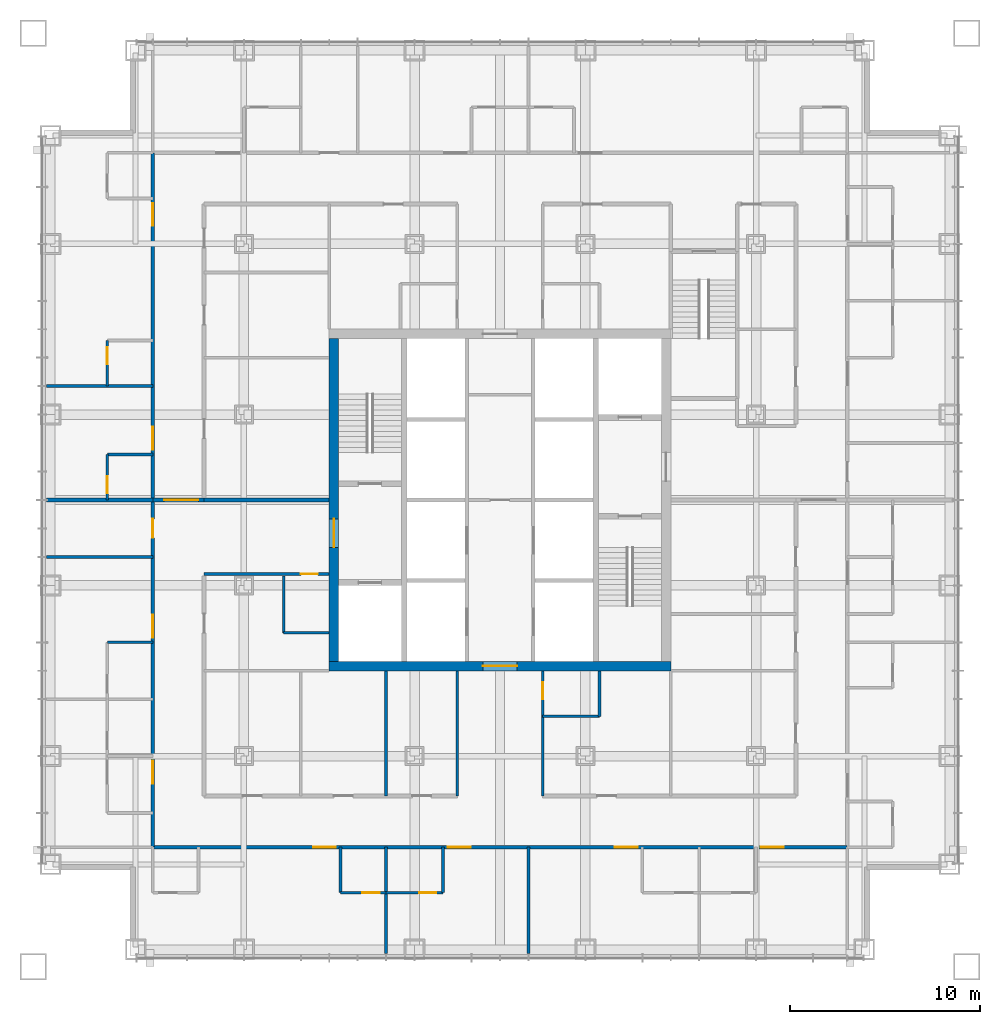
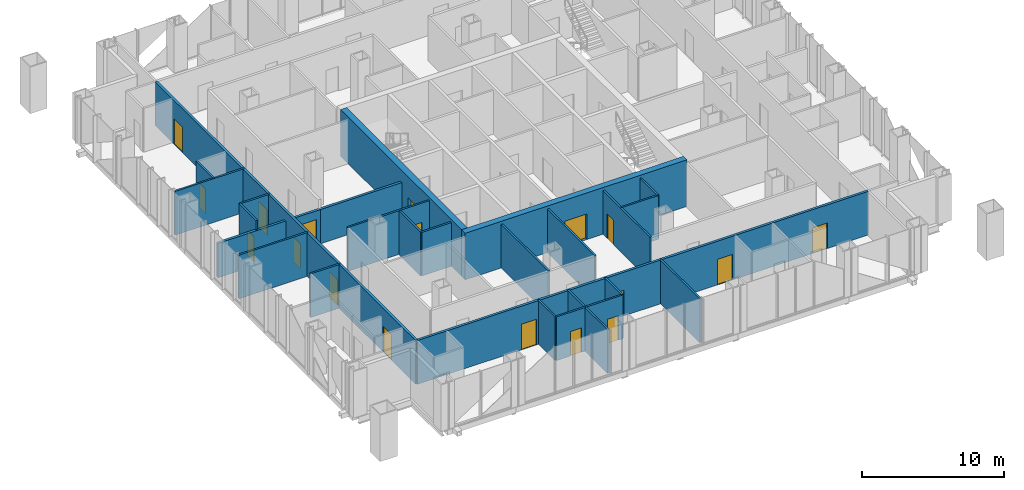
# One storey, part 9 of 16: 27 walls, 18 doors, 18 openings.
"""IFC4 building model written with IfcOpenShell, lengths in metres."""

from ifc_helpers import new_model, si_unit, direction, frame, frame_2d, origin, place, context, subcontext, project, spatial, rectangle, extrude, material, layer, layer_set, type_object, element, fill, save


model = new_model("IFC4")

# Units and contexts
model_context = context("Model", 3, precision=1e-05, world=origin(), true_north=direction((0.0, 1.0)))
body_context = subcontext(model_context, "Body", "Model", "MODEL_VIEW")
ifc_project = project(units=[si_unit("LENGTHUNIT", "METRE"), si_unit("AREAUNIT", "SQUARE_METRE"), si_unit("VOLUMEUNIT", "CUBIC_METRE"), si_unit("PLANEANGLEUNIT", "RADIAN"), si_unit("MASSUNIT", "GRAM", prefix="KILO")], contexts=[model_context])

# Site, building, storey
site_placement = place(None, origin())
site = spatial("IfcSite", under=ifc_project, at=site_placement, CompositionType="ELEMENT")
building_placement = place(site_placement, origin())
building = spatial("IfcBuilding", under=site, at=building_placement, Name="Malebo Sky Hospital", CompositionType="ELEMENT")
storey_placement = place(building_placement, frame((0.0, 0.0, 144.0)))
storey = spatial("IfcBuildingStorey", under=building, at=storey_placement, Name="L34", CompositionType="ELEMENT", Elevation=144.0)

# Wall, opening, door
ifc_material_1 = material(Name="Concrete C80/95", Category="concrete")
ifc_layer_1 = layer(ifc_material_1, 0.5)
ifc_layer_set_1 = layer_set([ifc_layer_1], Name="CORE WALL 500")
wall_type_1 = type_object("IfcWallType", Name="CORE WALL 500", PredefinedType="SHEAR", material=ifc_layer_set_1)
wall_1_placement = place(storey_placement, frame((51.0, 53.25, 0.0), z_axis=(0.0, 0.0, 1.0), x_axis=(1.0, 0.0, 0.0)))
wall_1 = element("IfcWall", 1, at=wall_1_placement, inside=storey, type_object=wall_type_1, Name="Core wall S L34", PredefinedType="SHEAR", context=body_context, shape_type="SweptSolid", body=[
    extrude(rectangle(XDim=18.0, YDim=0.5, at=frame_2d((9.0, 0.0))), origin(), (0.0, 0.0, 1.0), 4.0),
])
opening_1_placement = place(wall_1_placement, frame((8.10009765625, 0.0, 0.0)))
opening_1 = element("IfcOpeningElement", 2, at=opening_1_placement, cuts=wall_1, Name="Opening D06", PredefinedType="OPENING", context=body_context, shape_type="SweptSolid", body=[
    extrude(rectangle(XDim=1.800048828125, YDim=2.199951171875, at=frame_2d((0.89990234375, 1.10009765625))), frame((0.0, 0.260009765625, 0.0), z_axis=(0.0, -1.0, 0.0), x_axis=(1.0, 0.0, 0.0)), (0.0, 0.0, 1.0), 0.52001953125),
])
ifc_material_2 = material(Name="Hardwood-faced door leaf in steel frame", Category="steel")
door_type_1 = type_object("IfcDoorType", Name="LOBBY DOOR PAIR 1800", OperationType="DOUBLE_DOOR_SINGLE_SWING", PredefinedType="DOOR", material=ifc_material_2)
door_1_placement = place(opening_1_placement, origin())
door_1 = element("IfcDoor", 3, at=door_1_placement, inside=storey, type_object=door_type_1, Name="Lift lobby door south", OperationType="DOUBLE_DOOR_SINGLE_SWING", OverallHeight=2.199951171875, OverallWidth=1.800048828125, PredefinedType="DOOR", context=body_context, shape_type="SweptSolid", body=[
    extrude(rectangle(XDim=1.800048828125, YDim=2.199951171875, at=frame_2d((0.89990234375, 1.10009765625))), frame((0.0, 0.02490234375, 0.0), z_axis=(0.0, -1.0, 0.0), x_axis=(1.0, 0.0, 0.0)), (0.0, 0.0, 1.0), 0.050048828125),
])
fill(opening_1, door_1)

wall_2_placement = place(storey_placement, frame((51.25, 53.5, 0.0), z_axis=(0.0, 0.0, 1.0), x_axis=(0.0, 1.0, 0.0)))
wall_2 = element("IfcWall", 4, at=wall_2_placement, inside=storey, type_object=wall_type_1, Name="Core wall W L34", PredefinedType="SHEAR", context=body_context, shape_type="SweptSolid", body=[
    extrude(rectangle(XDim=17.0, YDim=0.5, at=frame_2d((8.5, 0.0))), origin(), (0.0, 0.0, 1.0), 4.0),
])
opening_2_placement = place(wall_2_placement, frame((6.0, 0.0, 0.0)))
opening_2 = element("IfcOpeningElement", 5, at=opening_2_placement, cuts=wall_2, Name="Opening D07", PredefinedType="OPENING", context=body_context, shape_type="SweptSolid", body=[
    extrude(rectangle(XDim=1.5, YDim=2.199951171875, at=frame_2d((0.75, 1.10009765625))), frame((0.0, 0.260009765625, 0.0), z_axis=(0.0, -1.0, 0.0), x_axis=(1.0, 0.0, 0.0)), (0.0, 0.0, 1.0), 0.52001953125),
])
door_type_2 = type_object("IfcDoorType", Name="FIRE-FIGHTING LOBBY DOOR PAIR 1500", OperationType="DOUBLE_DOOR_SINGLE_SWING", PredefinedType="DOOR", material=ifc_material_2)
door_2_placement = place(opening_2_placement, origin())
door_2 = element("IfcDoor", 6, at=door_2_placement, inside=storey, type_object=door_type_2, Name="Fire-fighting lobby door west", OperationType="DOUBLE_DOOR_SINGLE_SWING", OverallHeight=2.199951171875, OverallWidth=1.5, PredefinedType="DOOR", context=body_context, shape_type="SweptSolid", body=[
    extrude(rectangle(XDim=1.5, YDim=2.199951171875, at=frame_2d((0.75, 1.10009765625))), frame((0.0, 0.02490234375, 0.0), z_axis=(0.0, -1.0, 0.0), x_axis=(1.0, 0.0, 0.0)), (0.0, 0.0, 1.0), 0.050048828125),
])
fill(opening_2, door_2)

# Wall, openings, doors
ifc_material_3 = material(Name="Gypsum board on steel studs", Category="steel")
ifc_layer_2 = layer(ifc_material_3, 0.199951171875)
ifc_layer_set_2 = layer_set([ifc_layer_2], Name="CORRIDOR WALL 200")
wall_type_2 = type_object("IfcWallType", Name="CORRIDOR WALL 200", PredefinedType="PARTITIONING", material=ifc_layer_set_2)
wall_3_placement = place(storey_placement, frame((41.699951171875, 43.699951171875, 0.0), z_axis=(0.0, 0.0, 1.0), x_axis=(0.0, 1.0, 0.0)))
wall_3 = element("IfcWall", 7, at=wall_3_placement, inside=storey, type_object=wall_type_2, Name="Corridor Wall 200 WCO", PredefinedType="PARTITIONING", context=body_context, shape_type="SweptSolid", body=[
    extrude(rectangle(XDim=36.60009765625, YDim=0.199951171875, at=frame_2d((18.300048828125, 0.0))), origin(), (0.0, 0.0, 1.0), 3.75),
])
opening_3_placement = place(wall_3_placement, frame((3.35009765625, 0.0, 0.0)))
opening_3 = element("IfcOpeningElement", 8, at=opening_3_placement, cuts=wall_3, Name="Opening D18", PredefinedType="OPENING", context=body_context, shape_type="SweptSolid", body=[
    extrude(rectangle(XDim=1.199951171875, YDim=2.199951171875, at=frame_2d((0.60009765625, 1.10009765625))), frame((0.0, 0.10986328125, 0.0), z_axis=(0.0, -1.0, 0.0), x_axis=(1.0, 0.0, 0.0)), (0.0, 0.0, 1.0), 0.219970703125),
])
opening_4_placement = place(wall_3_placement, frame((11.050048828125, 0.0, 0.0)))
opening_4 = element("IfcOpeningElement", 9, at=opening_4_placement, cuts=wall_3, Name="Opening D01", PredefinedType="OPENING", context=body_context, shape_type="SweptSolid", body=[
    extrude(rectangle(XDim=1.199951171875, YDim=2.199951171875, at=frame_2d((0.60009765625, 1.10009765625))), frame((0.0, 0.10986328125, 0.0), z_axis=(0.0, -1.0, 0.0), x_axis=(1.0, 0.0, 0.0)), (0.0, 0.0, 1.0), 0.219970703125),
])
opening_5_placement = place(wall_3_placement, frame((16.300048828125, 0.0, 0.0)))
opening_5 = element("IfcOpeningElement", 10, at=opening_5_placement, cuts=wall_3, Name="Opening D03", PredefinedType="OPENING", context=body_context, shape_type="SweptSolid", body=[
    extrude(rectangle(XDim=1.0, YDim=2.10009765625, at=frame_2d((0.5, 1.050048828125))), frame((0.0, 0.10986328125, 0.0), z_axis=(0.0, -1.0, 0.0), x_axis=(1.0, 0.0, 0.0)), (0.0, 0.0, 1.0), 0.219970703125),
])
opening_6_placement = place(wall_3_placement, frame((20.949951171875, 0.0, 0.0)))
opening_6 = element("IfcOpeningElement", 11, at=opening_6_placement, cuts=wall_3, Name="Opening D01", PredefinedType="OPENING", context=body_context, shape_type="SweptSolid", body=[
    extrude(rectangle(XDim=1.199951171875, YDim=2.199951171875, at=frame_2d((0.60009765625, 1.10009765625))), frame((0.0, 0.10986328125, 0.0), z_axis=(0.0, -1.0, 0.0), x_axis=(1.0, 0.0, 0.0)), (0.0, 0.0, 1.0), 0.219970703125),
])
opening_7_placement = place(wall_3_placement, frame((32.75, 0.0, 0.0)))
opening_7 = element("IfcOpeningElement", 12, at=opening_7_placement, cuts=wall_3, Name="Opening D01", PredefinedType="OPENING", context=body_context, shape_type="SweptSolid", body=[
    extrude(rectangle(XDim=1.199951171875, YDim=2.199951171875, at=frame_2d((0.60009765625, 1.10009765625))), frame((0.0, 0.10986328125, 0.0), z_axis=(0.0, -1.0, 0.0), x_axis=(1.0, 0.0, 0.0)), (0.0, 0.0, 1.0), 0.219970703125),
])
door_type_3 = type_object("IfcDoorType", Name="ANTEROOM DOOR 1200", OperationType="SINGLE_SWING_LEFT", PredefinedType="DOOR", material=ifc_material_2)
door_3_placement = place(opening_3_placement, origin())
door_3 = element("IfcDoor", 13, at=door_3_placement, inside=storey, type_object=door_type_3, Name="Anteroom door", OperationType="SINGLE_SWING_RIGHT", OverallHeight=2.199951171875, OverallWidth=1.199951171875, PredefinedType="DOOR", context=body_context, shape_type="SweptSolid", body=[
    extrude(rectangle(XDim=1.199951171875, YDim=2.199951171875, at=frame_2d((0.60009765625, 1.10009765625))), frame((0.0, 0.02490234375, 0.0), z_axis=(0.0, -1.0, 0.0), x_axis=(1.0, 0.0, 0.0)), (0.0, 0.0, 1.0), 0.050048828125),
])
fill(opening_3, door_3)
door_type_4 = type_object("IfcDoorType", Name="BED DOOR 1200", OperationType="SINGLE_SWING_LEFT", PredefinedType="DOOR", material=ifc_material_2)
door_4_placement = place(opening_4_placement, origin())
door_4 = element("IfcDoor", 14, at=door_4_placement, inside=storey, type_object=door_type_4, Name="Single bed room door", OperationType="SINGLE_SWING_LEFT", OverallHeight=2.199951171875, OverallWidth=1.199951171875, PredefinedType="DOOR", context=body_context, shape_type="SweptSolid", body=[
    extrude(rectangle(XDim=1.199951171875, YDim=2.199951171875, at=frame_2d((0.60009765625, 1.10009765625))), frame((0.0, 0.02490234375, 0.0), z_axis=(0.0, -1.0, 0.0), x_axis=(1.0, 0.0, 0.0)), (0.0, 0.0, 1.0), 0.050048828125),
])
fill(opening_4, door_4)
door_5_placement = place(opening_6_placement, origin())
door_5 = element("IfcDoor", 15, at=door_5_placement, inside=storey, type_object=door_type_4, Name="Single bed room door", OperationType="SINGLE_SWING_LEFT", OverallHeight=2.199951171875, OverallWidth=1.199951171875, PredefinedType="DOOR", context=body_context, shape_type="SweptSolid", body=[
    extrude(rectangle(XDim=1.199951171875, YDim=2.199951171875, at=frame_2d((0.60009765625, 1.10009765625))), frame((0.0, 0.02490234375, 0.0), z_axis=(0.0, -1.0, 0.0), x_axis=(1.0, 0.0, 0.0)), (0.0, 0.0, 1.0), 0.050048828125),
])
fill(opening_6, door_5)
door_6_placement = place(opening_7_placement, origin())
door_6 = element("IfcDoor", 16, at=door_6_placement, inside=storey, type_object=door_type_4, Name="Four-bed bay door", OperationType="SINGLE_SWING_RIGHT", OverallHeight=2.199951171875, OverallWidth=1.199951171875, PredefinedType="DOOR", context=body_context, shape_type="SweptSolid", body=[
    extrude(rectangle(XDim=1.199951171875, YDim=2.199951171875, at=frame_2d((0.60009765625, 1.10009765625))), frame((0.0, 0.02490234375, 0.0), z_axis=(0.0, -1.0, 0.0), x_axis=(1.0, 0.0, 0.0)), (0.0, 0.0, 1.0), 0.050048828125),
])
fill(opening_7, door_6)
door_type_5 = type_object("IfcDoorType", Name="ROOM DOOR 1000", OperationType="SINGLE_SWING_LEFT", PredefinedType="DOOR", material=ifc_material_2)
door_7_placement = place(opening_5_placement, origin())
door_7 = element("IfcDoor", 17, at=door_7_placement, inside=storey, type_object=door_type_5, Name="Counselling room door", OperationType="SINGLE_SWING_RIGHT", OverallHeight=2.10009765625, OverallWidth=1.0, PredefinedType="DOOR", context=body_context, shape_type="SweptSolid", body=[
    extrude(rectangle(XDim=1.0, YDim=2.10009765625, at=frame_2d((0.5, 1.050048828125))), frame((0.0, 0.02490234375, 0.0), z_axis=(0.0, -1.0, 0.0), x_axis=(1.0, 0.0, 0.0)), (0.0, 0.0, 1.0), 0.050048828125),
])
fill(opening_5, door_7)

wall_4_placement = place(storey_placement, frame((78.300048828125, 43.699951171875, 0.0), z_axis=(0.0, 0.0, 1.0), x_axis=(-1.0, 0.0, 0.0)))
wall_4 = element("IfcWall", 18, at=wall_4_placement, inside=storey, type_object=wall_type_2, Name="Corridor Wall 200 SCO", PredefinedType="PARTITIONING", context=body_context, shape_type="SweptSolid", body=[
    extrude(rectangle(XDim=36.60009765625, YDim=0.199951171875, at=frame_2d((18.300048828125, 0.0))), origin(), (0.0, 0.0, 1.0), 3.75),
])
opening_8_placement = place(wall_4_placement, frame((3.35009765625, 0.0, 0.0)))
opening_8 = element("IfcOpeningElement", 19, at=opening_8_placement, cuts=wall_4, Name="Opening D01", PredefinedType="OPENING", context=body_context, shape_type="SweptSolid", body=[
    extrude(rectangle(XDim=1.199951171875, YDim=2.199951171875, at=frame_2d((0.60009765625, 1.10009765625))), frame((0.0, 0.10986328125, 0.0), z_axis=(0.0, -1.0, 0.0), x_axis=(1.0, 0.0, 0.0)), (0.0, 0.0, 1.0), 0.219970703125),
])
opening_9_placement = place(wall_4_placement, frame((11.050048828125, 0.0, 0.0)))
opening_9 = element("IfcOpeningElement", 20, at=opening_9_placement, cuts=wall_4, Name="Opening D01", PredefinedType="OPENING", context=body_context, shape_type="SweptSolid", body=[
    extrude(rectangle(XDim=1.199951171875, YDim=2.199951171875, at=frame_2d((0.60009765625, 1.10009765625))), frame((0.0, 0.10986328125, 0.0), z_axis=(0.0, -1.0, 0.0), x_axis=(1.0, 0.0, 0.0)), (0.0, 0.0, 1.0), 0.219970703125),
])
opening_10_placement = place(wall_4_placement, frame((19.85009765625, 0.0, 0.0)))
opening_10 = element("IfcOpeningElement", 21, at=opening_10_placement, cuts=wall_4, Name="Opening D01", PredefinedType="OPENING", context=body_context, shape_type="SweptSolid", body=[
    extrude(rectangle(XDim=1.199951171875, YDim=2.199951171875, at=frame_2d((0.60009765625, 1.10009765625))), frame((0.0, 0.10986328125, 0.0), z_axis=(0.0, -1.0, 0.0), x_axis=(1.0, 0.0, 0.0)), (0.0, 0.0, 1.0), 0.219970703125),
])
opening_11_placement = place(wall_4_placement, frame((26.949951171875, 0.0, 0.0)))
opening_11 = element("IfcOpeningElement", 22, at=opening_11_placement, cuts=wall_4, Name="Opening D01", PredefinedType="OPENING", context=body_context, shape_type="SweptSolid", body=[
    extrude(rectangle(XDim=1.199951171875, YDim=2.199951171875, at=frame_2d((0.60009765625, 1.10009765625))), frame((0.0, 0.10986328125, 0.0), z_axis=(0.0, -1.0, 0.0), x_axis=(1.0, 0.0, 0.0)), (0.0, 0.0, 1.0), 0.219970703125),
])
door_8_placement = place(opening_8_placement, origin())
door_8 = element("IfcDoor", 23, at=door_8_placement, inside=storey, type_object=door_type_4, Name="Single bed room door", OperationType="SINGLE_SWING_RIGHT", OverallHeight=2.199951171875, OverallWidth=1.199951171875, PredefinedType="DOOR", context=body_context, shape_type="SweptSolid", body=[
    extrude(rectangle(XDim=1.199951171875, YDim=2.199951171875, at=frame_2d((0.60009765625, 1.10009765625))), frame((0.0, 0.02490234375, 0.0), z_axis=(0.0, -1.0, 0.0), x_axis=(1.0, 0.0, 0.0)), (0.0, 0.0, 1.0), 0.050048828125),
])
fill(opening_8, door_8)
door_9_placement = place(opening_9_placement, origin())
door_9 = element("IfcDoor", 24, at=door_9_placement, inside=storey, type_object=door_type_4, Name="Two-bed room door", OperationType="SINGLE_SWING_LEFT", OverallHeight=2.199951171875, OverallWidth=1.199951171875, PredefinedType="DOOR", context=body_context, shape_type="SweptSolid", body=[
    extrude(rectangle(XDim=1.199951171875, YDim=2.199951171875, at=frame_2d((0.60009765625, 1.10009765625))), frame((0.0, 0.02490234375, 0.0), z_axis=(0.0, -1.0, 0.0), x_axis=(1.0, 0.0, 0.0)), (0.0, 0.0, 1.0), 0.050048828125),
])
fill(opening_9, door_9)
door_10_placement = place(opening_10_placement, origin())
door_10 = element("IfcDoor", 25, at=door_10_placement, inside=storey, type_object=door_type_4, Name="Single bed room door", OperationType="SINGLE_SWING_RIGHT", OverallHeight=2.199951171875, OverallWidth=1.199951171875, PredefinedType="DOOR", context=body_context, shape_type="SweptSolid", body=[
    extrude(rectangle(XDim=1.199951171875, YDim=2.199951171875, at=frame_2d((0.60009765625, 1.10009765625))), frame((0.0, 0.02490234375, 0.0), z_axis=(0.0, -1.0, 0.0), x_axis=(1.0, 0.0, 0.0)), (0.0, 0.0, 1.0), 0.050048828125),
])
fill(opening_10, door_10)
door_11_placement = place(opening_11_placement, origin())
door_11 = element("IfcDoor", 26, at=door_11_placement, inside=storey, type_object=door_type_4, Name="Four-bed bay door", OperationType="SINGLE_SWING_LEFT", OverallHeight=2.199951171875, OverallWidth=1.199951171875, PredefinedType="DOOR", context=body_context, shape_type="SweptSolid", body=[
    extrude(rectangle(XDim=1.199951171875, YDim=2.199951171875, at=frame_2d((0.60009765625, 1.10009765625))), frame((0.0, 0.02490234375, 0.0), z_axis=(0.0, -1.0, 0.0), x_axis=(1.0, 0.0, 0.0)), (0.0, 0.0, 1.0), 0.050048828125),
])
fill(opening_11, door_11)

# Walls
ifc_layer_3 = layer(ifc_material_3, 0.14990234375)
ifc_layer_set_3 = layer_set([ifc_layer_3], Name="PARTITION 150")
wall_type_3 = type_object("IfcWallType", Name="PARTITION 150", PredefinedType="PARTITIONING", material=ifc_layer_set_3)
for number, where, z_axis, x_axis, name in (
    (27, (41.699951171875, 59.0, 0.0), (0.0, 0.0, 1.0), (-1.0, 0.0, 0.0), "Partition 150 WP-3.0"),
    (28, (41.699951171875, 68.0, 0.0), (0.0, 0.0, 1.0), (-1.0, 0.0, 0.0), "Partition 150 WP+6.0"),
):
    element("IfcWall", number, at=place(storey_placement, frame(where, z_axis=z_axis, x_axis=x_axis)), inside=storey, type_object=wall_type_3, Name=name, PredefinedType="PARTITIONING", context=body_context, shape_type="SweptSolid", body=[
        extrude(rectangle(XDim=5.60986328125, YDim=0.14990234375, at=frame_2d((2.804931640625, 0.0))), origin(), (0.0, 0.0, 1.0), 3.75),
    ])
wall_5_placement = place(storey_placement, frame((41.699951171875, 54.5, 0.0), z_axis=(0.0, 0.0, 1.0), x_axis=(-1.0, 0.0, 0.0)))
element("IfcWall", 29, at=wall_5_placement, inside=storey, type_object=wall_type_3, Name="Partition 150 WE1S", PredefinedType="PARTITIONING", context=body_context, shape_type="SweptSolid", body=[
    extrude(rectangle(XDim=2.39990234375, YDim=0.14990234375, at=frame_2d((1.199951171875, 0.0))), origin(), (0.0, 0.0, 1.0), 3.75),
])

# Wall, opening, door
wall_6_placement = place(storey_placement, frame((39.300048828125, 62.0, 0.0), z_axis=(0.0, 0.0, 1.0), x_axis=(0.0, 1.0, 0.0)))
wall_6 = element("IfcWall", 30, at=wall_6_placement, inside=storey, type_object=wall_type_3, Name="Partition 150 WE3F", PredefinedType="PARTITIONING", context=body_context, shape_type="SweptSolid", body=[
    extrude(rectangle(XDim=2.39990234375, YDim=0.14990234375, at=frame_2d((1.199951171875, 0.0))), origin(), (0.0, 0.0, 1.0), 3.75),
])
opening_12_placement = place(wall_6_placement, frame((0.35009765625, 0.0, 0.0)))
opening_12 = element("IfcOpeningElement", 31, at=opening_12_placement, cuts=wall_6, Name="Opening D02", PredefinedType="OPENING", context=body_context, shape_type="SweptSolid", body=[
    extrude(rectangle(XDim=0.89990234375, YDim=2.10009765625, at=frame_2d((0.449951171875, 1.050048828125))), frame((0.0, 0.0849609375, 0.0), z_axis=(0.0, -1.0, 0.0), x_axis=(1.0, 0.0, 0.0)), (0.0, 0.0, 1.0), 0.169921875),
])
door_type_6 = type_object("IfcDoorType", Name="EN-SUITE DOOR 900", OperationType="SINGLE_SWING_LEFT", PredefinedType="DOOR", material=ifc_material_2)
door_12_placement = place(opening_12_placement, origin())
door_12 = element("IfcDoor", 32, at=door_12_placement, inside=storey, type_object=door_type_6, Name="En-suite door", OperationType="SINGLE_SWING_LEFT", OverallHeight=2.10009765625, OverallWidth=0.89990234375, PredefinedType="DOOR", context=body_context, shape_type="SweptSolid", body=[
    extrude(rectangle(XDim=0.89990234375, YDim=2.10009765625, at=frame_2d((0.449951171875, 1.050048828125))), frame((0.0, 0.02490234375, 0.0), z_axis=(0.0, -1.0, 0.0), x_axis=(1.0, 0.0, 0.0)), (0.0, 0.0, 1.0), 0.050048828125),
])
fill(opening_12, door_12)

# Wall
wall_7_placement = place(storey_placement, frame((41.699951171875, 64.39990234375, 0.0), z_axis=(0.0, 0.0, 1.0), x_axis=(-1.0, 0.0, 0.0)))
element("IfcWall", 33, at=wall_7_placement, inside=storey, type_object=wall_type_3, Name="Partition 150 WE3S", PredefinedType="PARTITIONING", context=body_context, shape_type="SweptSolid", body=[
    extrude(rectangle(XDim=2.39990234375, YDim=0.14990234375, at=frame_2d((1.199951171875, 0.0))), origin(), (0.0, 0.0, 1.0), 3.75),
])

# Wall, opening, door
wall_8_placement = place(storey_placement, frame((39.300048828125, 68.0, 0.0), z_axis=(0.0, 0.0, 1.0), x_axis=(0.0, 1.0, 0.0)))
wall_8 = element("IfcWall", 34, at=wall_8_placement, inside=storey, type_object=wall_type_3, Name="Partition 150 WG4F", PredefinedType="PARTITIONING", context=body_context, shape_type="SweptSolid", body=[
    extrude(rectangle(XDim=2.39990234375, YDim=0.14990234375, at=frame_2d((1.199951171875, 0.0))), origin(), (0.0, 0.0, 1.0), 3.75),
])
opening_13_placement = place(wall_8_placement, frame((1.14990234375, 0.0, 0.0)))
opening_13 = element("IfcOpeningElement", 35, at=opening_13_placement, cuts=wall_8, Name="Opening D02", PredefinedType="OPENING", context=body_context, shape_type="SweptSolid", body=[
    extrude(rectangle(XDim=0.89990234375, YDim=2.10009765625, at=frame_2d((0.449951171875, 1.050048828125))), frame((0.0, 0.0849609375, 0.0), z_axis=(0.0, -1.0, 0.0), x_axis=(1.0, 0.0, 0.0)), (0.0, 0.0, 1.0), 0.169921875),
])
door_13_placement = place(opening_13_placement, origin())
door_13 = element("IfcDoor", 36, at=door_13_placement, inside=storey, type_object=door_type_6, Name="En-suite door", OperationType="SINGLE_SWING_RIGHT", OverallHeight=2.10009765625, OverallWidth=0.89990234375, PredefinedType="DOOR", context=body_context, shape_type="SweptSolid", body=[
    extrude(rectangle(XDim=0.89990234375, YDim=2.10009765625, at=frame_2d((0.449951171875, 1.050048828125))), frame((0.0, 0.02490234375, 0.0), z_axis=(0.0, -1.0, 0.0), x_axis=(1.0, 0.0, 0.0)), (0.0, 0.0, 1.0), 0.050048828125),
])
fill(opening_13, door_13)

wall_9_placement = place(storey_placement, frame((51.0, 58.10009765625, 0.0), z_axis=(0.0, 0.0, 1.0), x_axis=(-1.0, 0.0, 0.0)))
wall_9 = element("IfcWall", 37, at=wall_9_placement, inside=storey, type_object=wall_type_3, Name="Partition 150 WSPA", PredefinedType="PARTITIONING", context=body_context, shape_type="SweptSolid", body=[
    extrude(rectangle(XDim=6.60009765625, YDim=0.14990234375, at=frame_2d((3.300048828125, 0.0))), origin(), (0.0, 0.0, 1.0), 3.75),
])
opening_14_placement = place(wall_9_placement, frame((0.60009765625, 0.0, 0.0)))
opening_14 = element("IfcOpeningElement", 38, at=opening_14_placement, cuts=wall_9, Name="Opening D04", PredefinedType="OPENING", context=body_context, shape_type="SweptSolid", body=[
    extrude(rectangle(XDim=0.89990234375, YDim=2.10009765625, at=frame_2d((0.449951171875, 1.050048828125))), frame((0.0, 0.0849609375, 0.0), z_axis=(0.0, -1.0, 0.0), x_axis=(1.0, 0.0, 0.0)), (0.0, 0.0, 1.0), 0.169921875),
])
door_type_7 = type_object("IfcDoorType", Name="ROOM DOOR 900", OperationType="SINGLE_SWING_LEFT", PredefinedType="DOOR", material=ifc_material_2)
door_14_placement = place(opening_14_placement, origin())
door_14 = element("IfcDoor", 39, at=door_14_placement, inside=storey, type_object=door_type_7, Name="Cleaner's room door", OperationType="SINGLE_SWING_LEFT", OverallHeight=2.10009765625, OverallWidth=0.89990234375, PredefinedType="DOOR", context=body_context, shape_type="SweptSolid", body=[
    extrude(rectangle(XDim=0.89990234375, YDim=2.10009765625, at=frame_2d((0.449951171875, 1.050048828125))), frame((0.0, 0.02490234375, 0.0), z_axis=(0.0, -1.0, 0.0), x_axis=(1.0, 0.0, 0.0)), (0.0, 0.0, 1.0), 0.050048828125),
])
fill(opening_14, door_14)

# Walls
wall_10_placement = place(storey_placement, frame((48.60009765625, 55.0, 0.0), z_axis=(0.0, 0.0, 1.0), x_axis=(0.0, 1.0, 0.0)))
element("IfcWall", 40, at=wall_10_placement, inside=storey, type_object=wall_type_3, Name="Partition 150 WSX0", PredefinedType="PARTITIONING", context=body_context, shape_type="SweptSolid", body=[
    extrude(rectangle(XDim=3.0, YDim=0.14990234375, at=frame_2d((1.5, 0.0))), origin(), (0.0, 0.0, 1.0), 3.75),
])
wall_11_placement = place(storey_placement, frame((51.0, 55.0, 0.0), z_axis=(0.0, 0.0, 1.0), x_axis=(-1.0, 0.0, 0.0)))
element("IfcWall", 41, at=wall_11_placement, inside=storey, type_object=wall_type_3, Name="Partition 150 WSY0", PredefinedType="PARTITIONING", context=body_context, shape_type="SweptSolid", body=[
    extrude(rectangle(XDim=2.39990234375, YDim=0.14990234375, at=frame_2d((1.199951171875, 0.0))), origin(), (0.0, 0.0, 1.0), 3.75),
])
for number, where, z_axis, x_axis, name in (
    (42, (61.5, 43.699951171875, 0.0), (0.0, 0.0, 1.0), (0.0, -1.0, 0.0), "Partition 150 SP-1.5"),
    (43, (54.0, 43.699951171875, 0.0), (0.0, 0.0, 1.0), (0.0, -1.0, 0.0), "Partition 150 SP+6.0"),
):
    element("IfcWall", number, at=place(storey_placement, frame(where, z_axis=z_axis, x_axis=x_axis)), inside=storey, type_object=wall_type_3, Name=name, PredefinedType="PARTITIONING", context=body_context, shape_type="SweptSolid", body=[
        extrude(rectangle(XDim=5.60986328125, YDim=0.14990234375, at=frame_2d((2.804931640625, 0.0))), origin(), (0.0, 0.0, 1.0), 3.75),
    ])

# Wall, opening, door
wall_12_placement = place(storey_placement, frame((57.0, 41.300048828125, 0.0), z_axis=(0.0, 0.0, 1.0), x_axis=(-1.0, 0.0, 0.0)))
wall_12 = element("IfcWall", 44, at=wall_12_placement, inside=storey, type_object=wall_type_3, Name="Partition 150 SE2F", PredefinedType="PARTITIONING", context=body_context, shape_type="SweptSolid", body=[
    extrude(rectangle(XDim=3.0, YDim=0.14990234375, at=frame_2d((1.5, 0.0))), origin(), (0.0, 0.0, 1.0), 3.75),
])
opening_15_placement = place(wall_12_placement, frame((0.35009765625, 0.0, 0.0)))
opening_15 = element("IfcOpeningElement", 45, at=opening_15_placement, cuts=wall_12, Name="Opening D02", PredefinedType="OPENING", context=body_context, shape_type="SweptSolid", body=[
    extrude(rectangle(XDim=0.89990234375, YDim=2.10009765625, at=frame_2d((0.449951171875, 1.050048828125))), frame((0.0, 0.0849609375, 0.0), z_axis=(0.0, -1.0, 0.0), x_axis=(1.0, 0.0, 0.0)), (0.0, 0.0, 1.0), 0.169921875),
])
door_15_placement = place(opening_15_placement, origin())
door_15 = element("IfcDoor", 46, at=door_15_placement, inside=storey, type_object=door_type_6, Name="En-suite door", OperationType="SINGLE_SWING_LEFT", OverallHeight=2.10009765625, OverallWidth=0.89990234375, PredefinedType="DOOR", context=body_context, shape_type="SweptSolid", body=[
    extrude(rectangle(XDim=0.89990234375, YDim=2.10009765625, at=frame_2d((0.449951171875, 1.050048828125))), frame((0.0, 0.02490234375, 0.0), z_axis=(0.0, -1.0, 0.0), x_axis=(1.0, 0.0, 0.0)), (0.0, 0.0, 1.0), 0.050048828125),
])
fill(opening_15, door_15)

# Wall
wall_13_placement = place(storey_placement, frame((57.0, 43.699951171875, 0.0), z_axis=(0.0, 0.0, 1.0), x_axis=(0.0, -1.0, 0.0)))
element("IfcWall", 47, at=wall_13_placement, inside=storey, type_object=wall_type_3, Name="Partition 150 SE2S", PredefinedType="PARTITIONING", context=body_context, shape_type="SweptSolid", body=[
    extrude(rectangle(XDim=2.39990234375, YDim=0.14990234375, at=frame_2d((1.199951171875, 0.0))), origin(), (0.0, 0.0, 1.0), 3.75),
])

# Wall, opening, door
wall_14_placement = place(storey_placement, frame((54.0, 41.300048828125, 0.0), z_axis=(0.0, 0.0, 1.0), x_axis=(-1.0, 0.0, 0.0)))
wall_14 = element("IfcWall", 48, at=wall_14_placement, inside=storey, type_object=wall_type_3, Name="Partition 150 SE3F", PredefinedType="PARTITIONING", context=body_context, shape_type="SweptSolid", body=[
    extrude(rectangle(XDim=2.39990234375, YDim=0.14990234375, at=frame_2d((1.199951171875, 0.0))), origin(), (0.0, 0.0, 1.0), 3.75),
])
opening_16_placement = place(wall_14_placement, frame((0.35009765625, 0.0, 0.0)))
opening_16 = element("IfcOpeningElement", 49, at=opening_16_placement, cuts=wall_14, Name="Opening D02", PredefinedType="OPENING", context=body_context, shape_type="SweptSolid", body=[
    extrude(rectangle(XDim=0.89990234375, YDim=2.10009765625, at=frame_2d((0.449951171875, 1.050048828125))), frame((0.0, 0.0849609375, 0.0), z_axis=(0.0, -1.0, 0.0), x_axis=(1.0, 0.0, 0.0)), (0.0, 0.0, 1.0), 0.169921875),
])
door_16_placement = place(opening_16_placement, origin())
door_16 = element("IfcDoor", 50, at=door_16_placement, inside=storey, type_object=door_type_6, Name="En-suite door", OperationType="SINGLE_SWING_LEFT", OverallHeight=2.10009765625, OverallWidth=0.89990234375, PredefinedType="DOOR", context=body_context, shape_type="SweptSolid", body=[
    extrude(rectangle(XDim=0.89990234375, YDim=2.10009765625, at=frame_2d((0.449951171875, 1.050048828125))), frame((0.0, 0.02490234375, 0.0), z_axis=(0.0, -1.0, 0.0), x_axis=(1.0, 0.0, 0.0)), (0.0, 0.0, 1.0), 0.050048828125),
])
fill(opening_16, door_16)

# Wall
wall_15_placement = place(storey_placement, frame((51.60009765625, 43.699951171875, 0.0), z_axis=(0.0, 0.0, 1.0), x_axis=(0.0, -1.0, 0.0)))
element("IfcWall", 51, at=wall_15_placement, inside=storey, type_object=wall_type_3, Name="Partition 150 SE3S", PredefinedType="PARTITIONING", context=body_context, shape_type="SweptSolid", body=[
    extrude(rectangle(XDim=2.39990234375, YDim=0.14990234375, at=frame_2d((1.199951171875, 0.0))), origin(), (0.0, 0.0, 1.0), 3.75),
])

# Wall, opening, door
wall_16_placement = place(storey_placement, frame((62.25, 53.0, 0.0), z_axis=(0.0, 0.0, 1.0), x_axis=(0.0, -1.0, 0.0)))
wall_16 = element("IfcWall", 52, at=wall_16_placement, inside=storey, type_object=wall_type_3, Name="Partition 150 SSPA", PredefinedType="PARTITIONING", context=body_context, shape_type="SweptSolid", body=[
    extrude(rectangle(XDim=6.60009765625, YDim=0.14990234375, at=frame_2d((3.300048828125, 0.0))), origin(), (0.0, 0.0, 1.0), 3.75),
])
opening_17_placement = place(wall_16_placement, frame((0.60009765625, 0.0, 0.0)))
opening_17 = element("IfcOpeningElement", 53, at=opening_17_placement, cuts=wall_16, Name="Opening D04", PredefinedType="OPENING", context=body_context, shape_type="SweptSolid", body=[
    extrude(rectangle(XDim=0.89990234375, YDim=2.10009765625, at=frame_2d((0.449951171875, 1.050048828125))), frame((0.0, 0.0849609375, 0.0), z_axis=(0.0, -1.0, 0.0), x_axis=(1.0, 0.0, 0.0)), (0.0, 0.0, 1.0), 0.169921875),
])
door_17_placement = place(opening_17_placement, origin())
door_17 = element("IfcDoor", 54, at=door_17_placement, inside=storey, type_object=door_type_7, Name="Visitor WC door", OperationType="SINGLE_SWING_LEFT", OverallHeight=2.10009765625, OverallWidth=0.89990234375, PredefinedType="DOOR", context=body_context, shape_type="SweptSolid", body=[
    extrude(rectangle(XDim=0.89990234375, YDim=2.10009765625, at=frame_2d((0.449951171875, 1.050048828125))), frame((0.0, 0.02490234375, 0.0), z_axis=(0.0, -1.0, 0.0), x_axis=(1.0, 0.0, 0.0)), (0.0, 0.0, 1.0), 0.050048828125),
])
fill(opening_17, door_17)

# Walls
for number, where, z_axis, x_axis, name in (
    (55, (57.75, 53.0, 0.0), (0.0, 0.0, 1.0), (0.0, -1.0, 0.0), "Partition 150 SSPB"),
    (56, (54.0, 53.0, 0.0), (0.0, 0.0, 1.0), (0.0, -1.0, 0.0), "Partition 150 SSP+6.0"),
):
    element("IfcWall", number, at=place(storey_placement, frame(where, z_axis=z_axis, x_axis=x_axis)), inside=storey, type_object=wall_type_3, Name=name, PredefinedType="PARTITIONING", context=body_context, shape_type="SweptSolid", body=[
        extrude(rectangle(XDim=6.60009765625, YDim=0.14990234375, at=frame_2d((3.300048828125, 0.0))), origin(), (0.0, 0.0, 1.0), 3.75),
    ])
wall_17_placement = place(storey_placement, frame((65.25, 50.60009765625, 0.0), z_axis=(0.0, 0.0, 1.0), x_axis=(-1.0, 0.0, 0.0)))
element("IfcWall", 57, at=wall_17_placement, inside=storey, type_object=wall_type_3, Name="Partition 150 SSX0", PredefinedType="PARTITIONING", context=body_context, shape_type="SweptSolid", body=[
    extrude(rectangle(XDim=3.0, YDim=0.14990234375, at=frame_2d((1.5, 0.0))), origin(), (0.0, 0.0, 1.0), 3.75),
])
wall_18_placement = place(storey_placement, frame((65.25, 53.0, 0.0), z_axis=(0.0, 0.0, 1.0), x_axis=(0.0, -1.0, 0.0)))
element("IfcWall", 58, at=wall_18_placement, inside=storey, type_object=wall_type_3, Name="Partition 150 SSY0", PredefinedType="PARTITIONING", context=body_context, shape_type="SweptSolid", body=[
    extrude(rectangle(XDim=2.39990234375, YDim=0.14990234375, at=frame_2d((1.199951171875, 0.0))), origin(), (0.0, 0.0, 1.0), 3.75),
])
ifc_material_4 = material(Name="Concrete blockwork", Category="masonry")
ifc_layer_4 = layer(ifc_material_4, 0.199951171875)
ifc_layer_set_4 = layer_set([ifc_layer_4], Name="SMOKE BARRIER WALL 200")
wall_type_4 = type_object("IfcWallType", Name="SMOKE BARRIER WALL 200", PredefinedType="SOLIDWALL", material=ifc_layer_set_4)
wall_19_placement = place(storey_placement, frame((41.699951171875, 62.0, 0.0), z_axis=(0.0, 0.0, 1.0), x_axis=(-1.0, 0.0, 0.0)))
element("IfcWall", 59, at=wall_19_placement, inside=storey, type_object=wall_type_4, Name="Smoke Barrier Wall 200 WP+0.0", PredefinedType="SOLIDWALL", context=body_context, shape_type="SweptSolid", body=[
    extrude(rectangle(XDim=5.60986328125, YDim=0.199951171875, at=frame_2d((2.804931640625, 0.0))), origin(), (0.0, 0.0, 1.0), 2.949951171875),
])
wall_20_placement = place(storey_placement, frame((51.0, 62.0, 0.0), z_axis=(0.0, 0.0, 1.0), x_axis=(-1.0, 0.0, 0.0)))
element("IfcWall", 60, at=wall_20_placement, inside=storey, type_object=wall_type_4, Name="Smoke Barrier Wall 200 WSPB", PredefinedType="SOLIDWALL", context=body_context, shape_type="SweptSolid", body=[
    extrude(rectangle(XDim=6.60009765625, YDim=0.199951171875, at=frame_2d((3.300048828125, 0.0))), origin(), (0.0, 0.0, 1.0), 2.949951171875),
])

# Wall, opening, door
wall_21_placement = place(storey_placement, frame((44.39990234375, 62.0, 0.0), z_axis=(0.0, 0.0, 1.0), x_axis=(-1.0, 0.0, 0.0)))
wall_21 = element("IfcWall", 61, at=wall_21_placement, inside=storey, type_object=wall_type_4, Name="Smoke Barrier Wall 200 WSB", PredefinedType="SOLIDWALL", context=body_context, shape_type="SweptSolid", body=[
    extrude(rectangle(XDim=2.699951171875, YDim=0.199951171875, at=frame_2d((1.35009765625, 0.0))), origin(), (0.0, 0.0, 1.0), 2.949951171875),
])
opening_18_placement = place(wall_21_placement, frame((0.300048828125, 0.0, 0.0)))
opening_18 = element("IfcOpeningElement", 62, at=opening_18_placement, cuts=wall_21, Name="Opening D05", PredefinedType="OPENING", context=body_context, shape_type="SweptSolid", body=[
    extrude(rectangle(XDim=1.800048828125, YDim=2.199951171875, at=frame_2d((0.89990234375, 1.10009765625))), frame((0.0, 0.10986328125, 0.0), z_axis=(0.0, -1.0, 0.0), x_axis=(1.0, 0.0, 0.0)), (0.0, 0.0, 1.0), 0.219970703125),
])
door_type_8 = type_object("IfcDoorType", Name="SMOKE DOOR PAIR 1800", OperationType="DOUBLE_DOOR_DOUBLE_SWING", PredefinedType="DOOR", material=ifc_material_2)
door_18_placement = place(opening_18_placement, origin())
door_18 = element("IfcDoor", 63, at=door_18_placement, inside=storey, type_object=door_type_8, Name="Smoke compartment door pair", OperationType="DOUBLE_DOOR_DOUBLE_SWING", OverallHeight=2.199951171875, OverallWidth=1.800048828125, PredefinedType="DOOR", context=body_context, shape_type="SweptSolid", body=[
    extrude(rectangle(XDim=1.800048828125, YDim=2.199951171875, at=frame_2d((0.89990234375, 1.10009765625))), frame((0.0, 0.02490234375, 0.0), z_axis=(0.0, -1.0, 0.0), x_axis=(1.0, 0.0, 0.0)), (0.0, 0.0, 1.0), 0.050048828125),
])
fill(opening_18, door_18)

save(model, "model.ifc")
